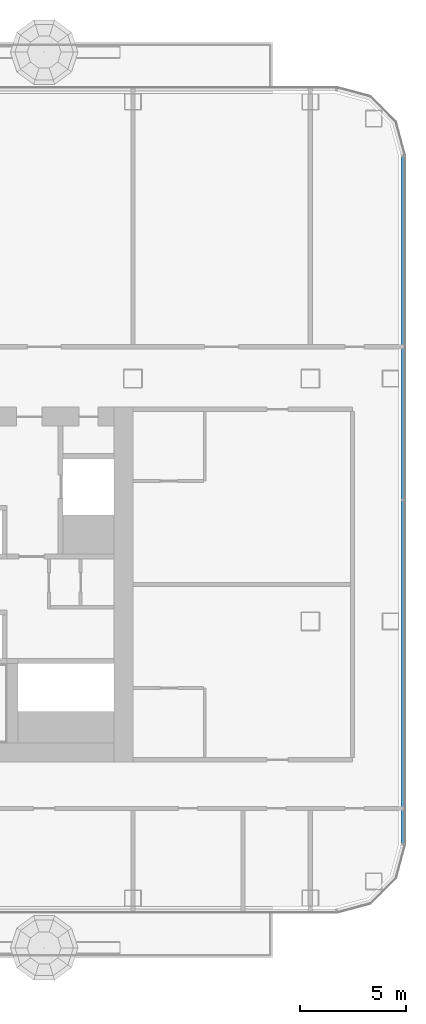
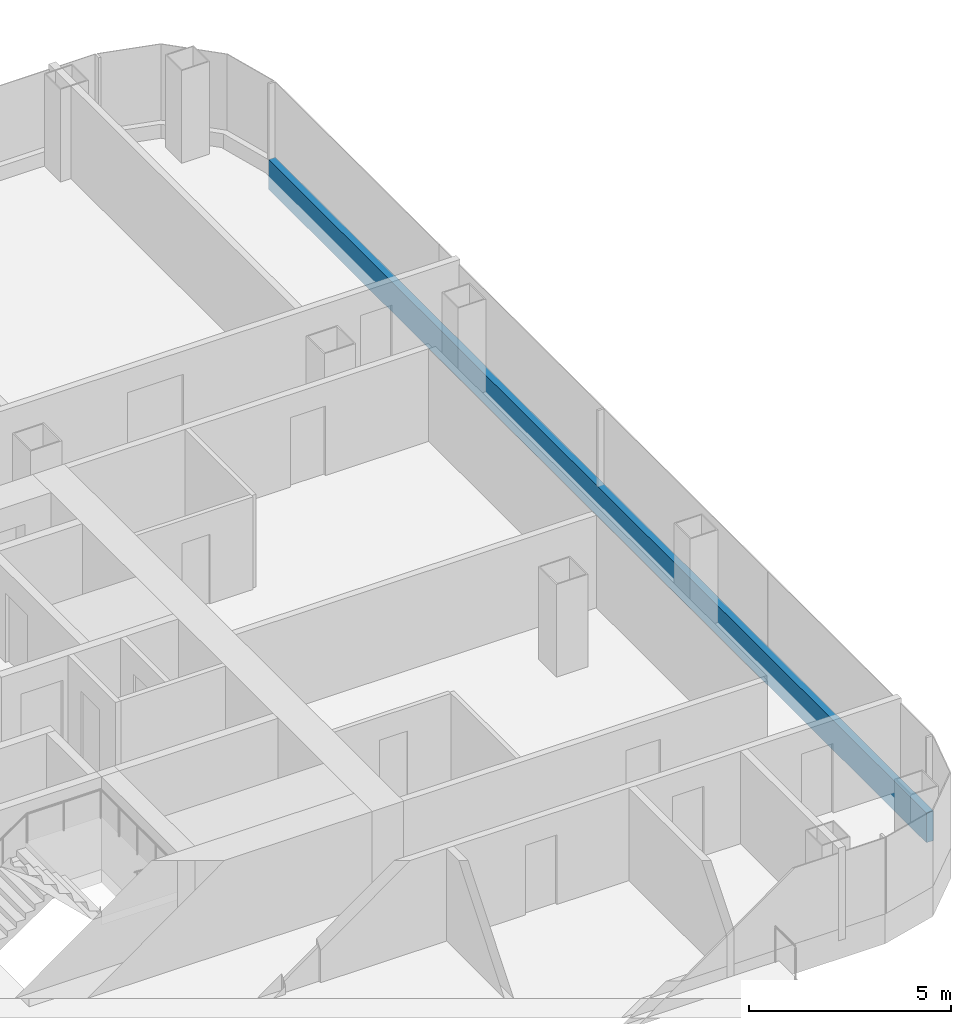
# One storey, part 8 of 34: 1 member, 1 element without a shape of its own.
"""IFC4 building model written with IfcOpenShell, lengths in metres."""

import ifcopenshell
import ifcopenshell.guid

model = None  # the IFC model being written
_history = None  # IfcOwnerHistory: only IFC2X3 demands one
_inside = {}  # id of a spatial element -> (the spatial element, [elements in it])
_under = {}  # id of a project, library or spatial element -> (it, [spatial elements below it])
_declared = {}  # id of a project -> (the project, [libraries it declares])
_typed = {}  # id of a type object -> (the type object, [elements of that type])
_made_of = {}  # id of a material, layer set ... -> (it, [elements and type objects made of it])


def new_model(schema):
    """Start an empty IFC model of exactly this schema.

    Asked for "IFC4X3", IfcOpenShell would pick the latest addendum, in which some entities
    have other attributes; the version numbers below select the first issue.
    IFC2X3 requires an IfcOwnerHistory on every rooted entity: one is made here for all.
    """
    global model, _history
    if schema == "IFC4X3":
        model = ifcopenshell.file(schema_version=(4, 3, 0, 0))
    else:
        model = ifcopenshell.file(schema=schema)
    _inside.clear()
    _under.clear()
    _declared.clear()
    _typed.clear()
    _made_of.clear()
    _history = None
    if model.schema == "IFC2X3":
        org = make("IfcOrganization", Name="unknown")
        user = make(
            "IfcPersonAndOrganization",
            ThePerson=make("IfcPerson", FamilyName="unknown"),
            TheOrganization=org,
        )
        app = make(
            "IfcApplication",
            ApplicationDeveloper=org,
            Version="unknown",
            ApplicationFullName="unknown",
            ApplicationIdentifier="unknown",
        )
        _history = make(
            "IfcOwnerHistory",
            OwningUser=user,
            OwningApplication=app,
            ChangeAction="ADDED",
            CreationDate=0,
        )
    return model


def make(cls, **values):
    """One entity of the class cls with the attributes given. An attribute that is None is left unset."""
    return model.create_entity(
        cls, **{name: value for name, value in values.items() if value is not None}
    )


def rooted(cls, **values):
    """An entity with a GlobalId (a new one), such as an element, a storey or a relation."""
    return make(cls, GlobalId=ifcopenshell.guid.new(), OwnerHistory=_history, **values)


def si_unit(unit_type, name, prefix=None):
    """IfcSIUnit, for example si_unit("LENGTHUNIT", "METRE", prefix="MILLI")."""
    return make("IfcSIUnit", UnitType=unit_type, Prefix=prefix, Name=name)


def assignment(units):
    """IfcUnitAssignment: the units of a project."""
    return None if units is None else make("IfcUnitAssignment", Units=units)


def point(xyz):
    """IfcCartesianPoint."""
    return None if xyz is None else make("IfcCartesianPoint", Coordinates=xyz)


def direction(xyz):
    """IfcDirection."""
    return None if xyz is None else make("IfcDirection", DirectionRatios=xyz)


def frame(location, z_axis=None, x_axis=None):
    """IfcAxis2Placement3D, a coordinate frame: its origin and axes. An axis left out is left unset."""
    return make(
        "IfcAxis2Placement3D",
        Location=point(location),
        Axis=direction(z_axis),
        RefDirection=direction(x_axis),
    )


def frame_2d(location, x_axis=None):
    """IfcAxis2Placement2D, a coordinate frame in the plane: its origin and x axis."""
    return make(
        "IfcAxis2Placement2D", Location=point(location), RefDirection=direction(x_axis)
    )


def origin():
    """The frame at (0, 0, 0) with its axes left unset."""
    return frame((0.0, 0.0, 0.0))


def origin_2d():
    """The frame at (0, 0) in the plane with its x axis left unset."""
    return frame_2d((0.0, 0.0))


def place(relative_to, where):
    """IfcLocalPlacement: puts the frame where relative to a parent placement (None: the world)."""
    return make(
        "IfcLocalPlacement", PlacementRelTo=relative_to, RelativePlacement=where
    )


def context(
    kind, dimensions, precision=None, world=None, true_north=None, identifier=None
):
    """IfcGeometricRepresentationContext, for example the 3D "Model" context."""
    return make(
        "IfcGeometricRepresentationContext",
        ContextIdentifier=identifier,
        ContextType=kind,
        CoordinateSpaceDimension=dimensions,
        Precision=precision,
        WorldCoordinateSystem=world,
        TrueNorth=true_north,
    )


def subcontext(parent, identifier, kind, view, scale=None):
    """IfcGeometricRepresentationSubContext, for example "Body" below "Model"."""
    return make(
        "IfcGeometricRepresentationSubContext",
        ContextIdentifier=identifier,
        ContextType=kind,
        ParentContext=parent,
        TargetScale=scale,
        TargetView=view,
    )


def project(units=None, contexts=None):
    """IfcProject with its units and contexts."""
    return rooted(
        "IfcProject",
        Name="project",
        RepresentationContexts=contexts,
        UnitsInContext=assignment(units),
    )


def spatial(cls, under=None, at=None, **own):
    """A site, building, storey or space (cls), placed at a placement, below another one or the project."""
    s = rooted(cls, ObjectPlacement=at, **own)
    if under is not None:
        _under.setdefault(under.id(), (under, []))[1].append(s)
    return s


def profile(cls, at=None, kind="AREA", **sizes):
    """A parametric profile (cls). Its sizes go by their IFC names, for example OverallWidth=200.0."""
    return make(cls, ProfileType=kind, Position=at, **sizes)


def rectangle(**sizes):
    """IfcRectangleProfileDef."""
    return profile("IfcRectangleProfileDef", **sizes)


def extrude(swept, where, along, depth):
    """IfcExtrudedAreaSolid: the profile swept, set in the frame where, extruded along a direction by depth."""
    return make(
        "IfcExtrudedAreaSolid",
        SweptArea=swept,
        Position=where,
        ExtrudedDirection=direction(along),
        Depth=depth,
    )


def shape(context_of_items, identifier, shape_type, items):
    """IfcShapeRepresentation: the items that make up one representation, for example the "Body"."""
    return make(
        "IfcShapeRepresentation",
        ContextOfItems=context_of_items,
        RepresentationIdentifier=identifier,
        RepresentationType=shape_type,
        Items=items,
    )


def material(Name=None, Category=None):
    """IfcMaterial."""
    return make("IfcMaterial", Name=Name, Category=Category)


def layer(
    of_material, thickness, ventilated=None, Name=None, Category=None, Priority=None
):
    """IfcMaterialLayer: one layer of a wall or slab, of a material (None: an air gap)."""
    return make(
        "IfcMaterialLayer",
        Material=of_material,
        LayerThickness=thickness,
        IsVentilated=ventilated,
        Name=Name,
        Category=Category,
        Priority=Priority,
    )


def layer_set(layers, Name=None):
    """IfcMaterialLayerSet."""
    return make("IfcMaterialLayerSet", MaterialLayers=layers, LayerSetName=Name)


def material_profile(
    of_material, cross_section, Name=None, Category=None, Priority=None
):
    """IfcMaterialProfile: a cross section and its material."""
    return make(
        "IfcMaterialProfile",
        Name=Name,
        Material=of_material,
        Profile=cross_section,
        Priority=Priority,
        Category=Category,
    )


def profile_set(profiles, Name=None, composite=None):
    """IfcMaterialProfileSet."""
    return make(
        "IfcMaterialProfileSet",
        Name=Name,
        MaterialProfiles=profiles,
        CompositeProfile=composite,
    )


def made_of(thing, what):
    """Note that an element or type object is made of a material, layer set ...; save() writes the relation."""
    if what is not None:
        _made_of.setdefault(what.id(), (what, []))[1].append(thing)
    return thing


def type_object(cls, material=None, **own):
    """A type object (cls), such as IfcWallType, which elements share."""
    return made_of(rooted(cls, **own), material)


def element(
    cls,
    number,
    at=None,
    inside=None,
    cuts=None,
    type_object=None,
    material=None,
    context=None,
    identifier="Body",
    shape_type=None,
    held_by="IfcProductDefinitionShape",
    body=None,
    shapes=None,
    **own,
):
    """One element of the class cls, such as IfcWall. Its Tag is "e" and its number.

    at: its placement. inside: the storey or other place that contains it. cuts: it is an
    opening in that element (IfcRelVoidsElement). A single representation is given by context,
    identifier, shape_type and body (its items); several are given by shapes. held_by: the class
    of the entity that holds the representations. save() writes the other relations.
    """
    e = rooted(cls, Tag="e%d" % number, ObjectPlacement=at, **own)
    if body is not None:
        shapes = [shape(context, identifier, shape_type, body)]
    if shapes is not None:
        e.Representation = make(held_by, Representations=shapes)
    if inside is not None:
        _inside.setdefault(inside.id(), (inside, []))[1].append(e)
    if cuts is not None:
        rooted(
            "IfcRelVoidsElement", RelatingBuildingElement=cuts, RelatedOpeningElement=e
        )
    if type_object is not None:
        _typed.setdefault(type_object.id(), (type_object, []))[1].append(e)
    return made_of(e, material)


def aggregate(whole, parts):
    """IfcRelAggregates: a whole, such as a stair, and the parts it consists of."""
    return rooted("IfcRelAggregates", RelatingObject=whole, RelatedObjects=parts)


def save(model, path):
    """Write the relations noted so far, then the file.

    IfcRelAggregates (storeys below a building ...), IfcRelContainedInSpatialStructure (elements
    in a storey), IfcRelDefinesByType, IfcRelAssociatesMaterial and IfcRelDeclares: one each for
    every whole, place, type object, material and project.
    """
    for whole, parts in _under.values():
        aggregate(whole, parts)
    for where, things in _inside.values():
        rooted(
            "IfcRelContainedInSpatialStructure",
            RelatedElements=things,
            RelatingStructure=where,
        )
    for kind, things in _typed.values():
        rooted("IfcRelDefinesByType", RelatedObjects=things, RelatingType=kind)
    for what, things in _made_of.values():
        rooted("IfcRelAssociatesMaterial", RelatedObjects=things, RelatingMaterial=what)
    for by, libraries in _declared.values():
        rooted("IfcRelDeclares", RelatingContext=by, RelatedDefinitions=libraries)
    model.write(path)


model = new_model("IFC4")

# Units and contexts
model_context = context("Model", 3, precision=1e-05, world=origin(), true_north=direction((0.0, 1.0)))
body_context = subcontext(model_context, "Body", "Model", "MODEL_VIEW")
ifc_project = project(units=[si_unit("LENGTHUNIT", "METRE"), si_unit("AREAUNIT", "SQUARE_METRE"), si_unit("VOLUMEUNIT", "CUBIC_METRE"), si_unit("PLANEANGLEUNIT", "RADIAN"), si_unit("MASSUNIT", "GRAM", prefix="KILO")], contexts=[model_context])

# Site, building, storey
site_placement = place(None, origin())
site = spatial("IfcSite", under=ifc_project, at=site_placement, CompositionType="ELEMENT")
building_placement = place(site_placement, origin())
building = spatial("IfcBuilding", under=site, at=building_placement, Name="Hakoniwa Tower and Hamabe Station Hall", CompositionType="ELEMENT")
storey_placement = place(building_placement, frame((0.0, 0.0, 94.60009765625)))
storey = spatial("IfcBuildingStorey", under=building, at=storey_placement, Name="L26", CompositionType="ELEMENT", Elevation=94.60009765625)

# Curtain wall, member
ifc_material_1 = material(Name="Dark low-e laminated glass", Category="glass")
ifc_layer = layer(ifc_material_1, 0.199951171875)
ifc_layer_set = layer_set([ifc_layer], Name="CW-1 UNITISED GUEST")
curtain_wall_type = type_object("IfcCurtainWallType", Name="CW-1 UNITISED GUEST", PredefinedType="NOTDEFINED", material=ifc_layer_set)
curtain_wall_placement = place(storey_placement, origin())
curtain_wall = element("IfcCurtainWall", 1, at=curtain_wall_placement, inside=storey, type_object=curtain_wall_type, Name="CW-1 curtain wall", PredefinedType="NOTDEFINED")
ifc_material_2 = material(Name="Aluminium 6063-T5 black anodised", Category="aluminium")
ifc_material_profile = material_profile(ifc_material_2, rectangle(XDim=0.199951171875, YDim=0.89990234375, at=origin_2d()), Name="CW SLAB-EDGE BAND 900X200")
ifc_profile_set = profile_set([ifc_material_profile], Name="Aluminium 6063-T5 black anodised")
member_type = type_object("IfcMemberType", Name="CW SLAB-EDGE BAND 900X200", PredefinedType="USERDEFINED", material=ifc_profile_set)
member_placement = place(storey_placement, frame((46.39990234375, -12.28955078125, -0.10009765625), z_axis=(0.0, 1.0, 0.0), x_axis=(-1.0, 0.0, 0.0)))
member = element("IfcMember", 2, at=member_placement, type_object=member_type, Name="CW-1 transom", ObjectType="TRANSOM", PredefinedType="USERDEFINED", context=body_context, shape_type="SweptSolid", body=[
    extrude(rectangle(XDim=0.199951171875, YDim=0.89990234375, at=origin_2d()), origin(), (0.0, 0.0, 1.0), 32.5791015625),
])
aggregate(curtain_wall, [member])

save(model, "model.ifc")
